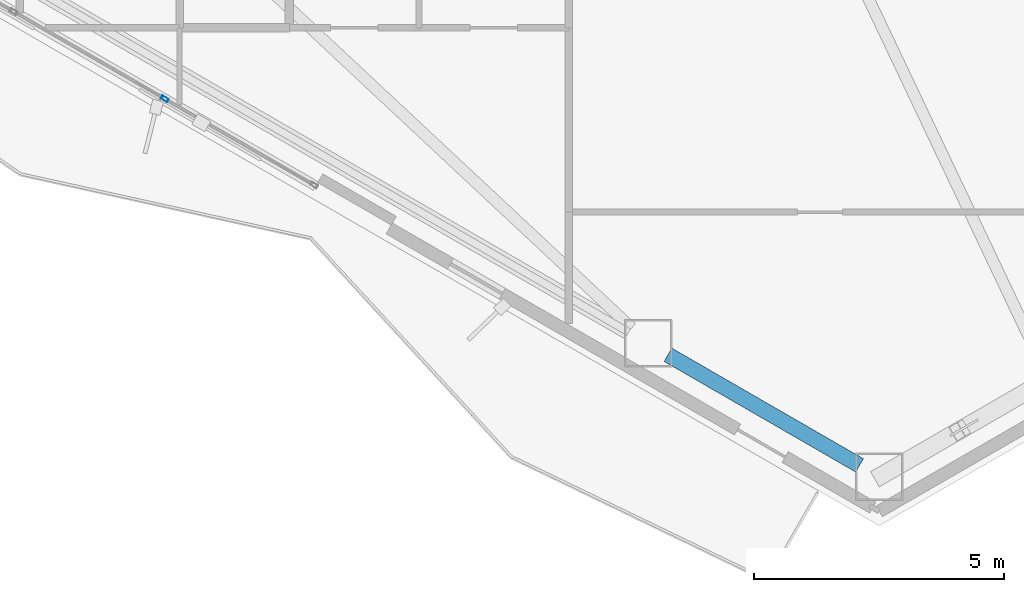
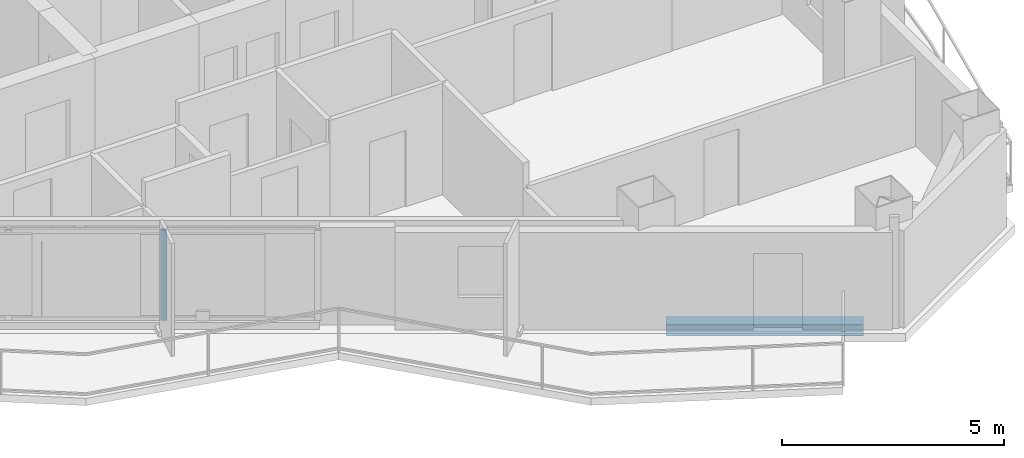
# One storey, part 3 of 18: 1 beam, 1 member, 1 element without a shape of its own.
"""IFC4 building model written with IfcOpenShell, lengths in metres."""

import ifcopenshell
import ifcopenshell.guid

model = None  # the IFC model being written
_history = None  # IfcOwnerHistory: only IFC2X3 demands one
_inside = {}  # id of a spatial element -> (the spatial element, [elements in it])
_under = {}  # id of a project, library or spatial element -> (it, [spatial elements below it])
_declared = {}  # id of a project -> (the project, [libraries it declares])
_typed = {}  # id of a type object -> (the type object, [elements of that type])
_made_of = {}  # id of a material, layer set ... -> (it, [elements and type objects made of it])


def new_model(schema):
    """Start an empty IFC model of exactly this schema.

    Asked for "IFC4X3", IfcOpenShell would pick the latest addendum, in which some entities
    have other attributes; the version numbers below select the first issue.
    IFC2X3 requires an IfcOwnerHistory on every rooted entity: one is made here for all.
    """
    global model, _history
    if schema == "IFC4X3":
        model = ifcopenshell.file(schema_version=(4, 3, 0, 0))
    else:
        model = ifcopenshell.file(schema=schema)
    _inside.clear()
    _under.clear()
    _declared.clear()
    _typed.clear()
    _made_of.clear()
    _history = None
    if model.schema == "IFC2X3":
        org = make("IfcOrganization", Name="unknown")
        user = make(
            "IfcPersonAndOrganization",
            ThePerson=make("IfcPerson", FamilyName="unknown"),
            TheOrganization=org,
        )
        app = make(
            "IfcApplication",
            ApplicationDeveloper=org,
            Version="unknown",
            ApplicationFullName="unknown",
            ApplicationIdentifier="unknown",
        )
        _history = make(
            "IfcOwnerHistory",
            OwningUser=user,
            OwningApplication=app,
            ChangeAction="ADDED",
            CreationDate=0,
        )
    return model


def make(cls, **values):
    """One entity of the class cls with the attributes given. An attribute that is None is left unset."""
    return model.create_entity(
        cls, **{name: value for name, value in values.items() if value is not None}
    )


def rooted(cls, **values):
    """An entity with a GlobalId (a new one), such as an element, a storey or a relation."""
    return make(cls, GlobalId=ifcopenshell.guid.new(), OwnerHistory=_history, **values)


def si_unit(unit_type, name, prefix=None):
    """IfcSIUnit, for example si_unit("LENGTHUNIT", "METRE", prefix="MILLI")."""
    return make("IfcSIUnit", UnitType=unit_type, Prefix=prefix, Name=name)


def assignment(units):
    """IfcUnitAssignment: the units of a project."""
    return None if units is None else make("IfcUnitAssignment", Units=units)


def point(xyz):
    """IfcCartesianPoint."""
    return None if xyz is None else make("IfcCartesianPoint", Coordinates=xyz)


def direction(xyz):
    """IfcDirection."""
    return None if xyz is None else make("IfcDirection", DirectionRatios=xyz)


def frame(location, z_axis=None, x_axis=None):
    """IfcAxis2Placement3D, a coordinate frame: its origin and axes. An axis left out is left unset."""
    return make(
        "IfcAxis2Placement3D",
        Location=point(location),
        Axis=direction(z_axis),
        RefDirection=direction(x_axis),
    )


def frame_2d(location, x_axis=None):
    """IfcAxis2Placement2D, a coordinate frame in the plane: its origin and x axis."""
    return make(
        "IfcAxis2Placement2D", Location=point(location), RefDirection=direction(x_axis)
    )


def origin():
    """The frame at (0, 0, 0) with its axes left unset."""
    return frame((0.0, 0.0, 0.0))


def origin_2d():
    """The frame at (0, 0) in the plane with its x axis left unset."""
    return frame_2d((0.0, 0.0))


def place(relative_to, where):
    """IfcLocalPlacement: puts the frame where relative to a parent placement (None: the world)."""
    return make(
        "IfcLocalPlacement", PlacementRelTo=relative_to, RelativePlacement=where
    )


def context(
    kind, dimensions, precision=None, world=None, true_north=None, identifier=None
):
    """IfcGeometricRepresentationContext, for example the 3D "Model" context."""
    return make(
        "IfcGeometricRepresentationContext",
        ContextIdentifier=identifier,
        ContextType=kind,
        CoordinateSpaceDimension=dimensions,
        Precision=precision,
        WorldCoordinateSystem=world,
        TrueNorth=true_north,
    )


def subcontext(parent, identifier, kind, view, scale=None):
    """IfcGeometricRepresentationSubContext, for example "Body" below "Model"."""
    return make(
        "IfcGeometricRepresentationSubContext",
        ContextIdentifier=identifier,
        ContextType=kind,
        ParentContext=parent,
        TargetScale=scale,
        TargetView=view,
    )


def project(units=None, contexts=None):
    """IfcProject with its units and contexts."""
    return rooted(
        "IfcProject",
        Name="project",
        RepresentationContexts=contexts,
        UnitsInContext=assignment(units),
    )


def spatial(cls, under=None, at=None, **own):
    """A site, building, storey or space (cls), placed at a placement, below another one or the project."""
    s = rooted(cls, ObjectPlacement=at, **own)
    if under is not None:
        _under.setdefault(under.id(), (under, []))[1].append(s)
    return s


def profile(cls, at=None, kind="AREA", **sizes):
    """A parametric profile (cls). Its sizes go by their IFC names, for example OverallWidth=200.0."""
    return make(cls, ProfileType=kind, Position=at, **sizes)


def hollow_rectangle(**sizes):
    """IfcRectangleHollowProfileDef."""
    return profile("IfcRectangleHollowProfileDef", **sizes)


def i_section(**sizes):
    """IfcIShapeProfileDef."""
    return profile("IfcIShapeProfileDef", **sizes)


def extrude(swept, where, along, depth):
    """IfcExtrudedAreaSolid: the profile swept, set in the frame where, extruded along a direction by depth."""
    return make(
        "IfcExtrudedAreaSolid",
        SweptArea=swept,
        Position=where,
        ExtrudedDirection=direction(along),
        Depth=depth,
    )


def shape(context_of_items, identifier, shape_type, items):
    """IfcShapeRepresentation: the items that make up one representation, for example the "Body"."""
    return make(
        "IfcShapeRepresentation",
        ContextOfItems=context_of_items,
        RepresentationIdentifier=identifier,
        RepresentationType=shape_type,
        Items=items,
    )


def material(Name=None, Category=None):
    """IfcMaterial."""
    return make("IfcMaterial", Name=Name, Category=Category)


def layer(
    of_material, thickness, ventilated=None, Name=None, Category=None, Priority=None
):
    """IfcMaterialLayer: one layer of a wall or slab, of a material (None: an air gap)."""
    return make(
        "IfcMaterialLayer",
        Material=of_material,
        LayerThickness=thickness,
        IsVentilated=ventilated,
        Name=Name,
        Category=Category,
        Priority=Priority,
    )


def layer_set(layers, Name=None):
    """IfcMaterialLayerSet."""
    return make("IfcMaterialLayerSet", MaterialLayers=layers, LayerSetName=Name)


def material_profile(
    of_material, cross_section, Name=None, Category=None, Priority=None
):
    """IfcMaterialProfile: a cross section and its material."""
    return make(
        "IfcMaterialProfile",
        Name=Name,
        Material=of_material,
        Profile=cross_section,
        Priority=Priority,
        Category=Category,
    )


def profile_set(profiles, Name=None, composite=None):
    """IfcMaterialProfileSet."""
    return make(
        "IfcMaterialProfileSet",
        Name=Name,
        MaterialProfiles=profiles,
        CompositeProfile=composite,
    )


def made_of(thing, what):
    """Note that an element or type object is made of a material, layer set ...; save() writes the relation."""
    if what is not None:
        _made_of.setdefault(what.id(), (what, []))[1].append(thing)
    return thing


def type_object(cls, material=None, **own):
    """A type object (cls), such as IfcWallType, which elements share."""
    return made_of(rooted(cls, **own), material)


def element(
    cls,
    number,
    at=None,
    inside=None,
    cuts=None,
    type_object=None,
    material=None,
    context=None,
    identifier="Body",
    shape_type=None,
    held_by="IfcProductDefinitionShape",
    body=None,
    shapes=None,
    **own,
):
    """One element of the class cls, such as IfcWall. Its Tag is "e" and its number.

    at: its placement. inside: the storey or other place that contains it. cuts: it is an
    opening in that element (IfcRelVoidsElement). A single representation is given by context,
    identifier, shape_type and body (its items); several are given by shapes. held_by: the class
    of the entity that holds the representations. save() writes the other relations.
    """
    e = rooted(cls, Tag="e%d" % number, ObjectPlacement=at, **own)
    if body is not None:
        shapes = [shape(context, identifier, shape_type, body)]
    if shapes is not None:
        e.Representation = make(held_by, Representations=shapes)
    if inside is not None:
        _inside.setdefault(inside.id(), (inside, []))[1].append(e)
    if cuts is not None:
        rooted(
            "IfcRelVoidsElement", RelatingBuildingElement=cuts, RelatedOpeningElement=e
        )
    if type_object is not None:
        _typed.setdefault(type_object.id(), (type_object, []))[1].append(e)
    return made_of(e, material)


def aggregate(whole, parts):
    """IfcRelAggregates: a whole, such as a stair, and the parts it consists of."""
    return rooted("IfcRelAggregates", RelatingObject=whole, RelatedObjects=parts)


def save(model, path):
    """Write the relations noted so far, then the file.

    IfcRelAggregates (storeys below a building ...), IfcRelContainedInSpatialStructure (elements
    in a storey), IfcRelDefinesByType, IfcRelAssociatesMaterial and IfcRelDeclares: one each for
    every whole, place, type object, material and project.
    """
    for whole, parts in _under.values():
        aggregate(whole, parts)
    for where, things in _inside.values():
        rooted(
            "IfcRelContainedInSpatialStructure",
            RelatedElements=things,
            RelatingStructure=where,
        )
    for kind, things in _typed.values():
        rooted("IfcRelDefinesByType", RelatedObjects=things, RelatingType=kind)
    for what, things in _made_of.values():
        rooted("IfcRelAssociatesMaterial", RelatedObjects=things, RelatingMaterial=what)
    for by, libraries in _declared.values():
        rooted("IfcRelDeclares", RelatingContext=by, RelatedDefinitions=libraries)
    model.write(path)


model = new_model("IFC4")

# Units and contexts
model_context = context("Model", 3, precision=1e-05, world=origin(), true_north=direction((0.0, 1.0)))
body_context = subcontext(model_context, "Body", "Model", "MODEL_VIEW")
ifc_project = project(units=[si_unit("LENGTHUNIT", "METRE"), si_unit("AREAUNIT", "SQUARE_METRE"), si_unit("VOLUMEUNIT", "CUBIC_METRE"), si_unit("PLANEANGLEUNIT", "RADIAN"), si_unit("MASSUNIT", "GRAM", prefix="KILO")], contexts=[model_context])

# Site, building, storey
site_placement = place(None, origin())
site = spatial("IfcSite", under=ifc_project, at=site_placement, CompositionType="ELEMENT")
building_placement = place(site_placement, origin())
building = spatial("IfcBuilding", under=site, at=building_placement, Name="Mersakhor Tower and Convention Hall", CompositionType="ELEMENT")
storey_placement = place(building_placement, frame((0.0, 0.0, 154.199951171875)))
storey = spatial("IfcBuildingStorey", under=building, at=storey_placement, Name="L43", CompositionType="ELEMENT", Elevation=154.199951171875)

# Beam
ifc_material_1 = material(Name="Steel S355", Category="steel")
ifc_material_profile_1 = material_profile(ifc_material_1, i_section(OverallWidth=0.30908203125, OverallDepth=0.320556640625, WebThickness=0.013916015625, FlangeThickness=0.021728515625, at=origin_2d()), Name="UC 305x305x137")
ifc_profile_set_1 = profile_set([ifc_material_profile_1], Name="Steel S355")
beam_type = type_object("IfcBeamType", Name="BM-SPD-UC305", PredefinedType="SPANDREL", material=ifc_profile_set_1)
beam_placement = place(storey_placement, frame((37.826416015625, 7.082763671875, -0.400146484375), z_axis=(-0.866038875684, 0.49997666526, 0.0), x_axis=(-0.49997666526, -0.866038875684, 0.0)))
element("IfcBeam", 1, at=beam_placement, inside=storey, type_object=beam_type, Name="L43 Perimeter Spandrel Beam SPB-09", PredefinedType="SPANDREL", context=body_context, shape_type="SweptSolid", body=[
    extrude(i_section(OverallWidth=0.30908203125, OverallDepth=0.320556640625, WebThickness=0.013916015625, FlangeThickness=0.021728515625, at=origin_2d()), origin(), (0.0, 0.0, 1.0), 4.433837890625),
])

# Curtain wall, member
ifc_material_2 = material(Name="Dark solar low-E aluminium curtain wall", Category="aluminium")
ifc_layer = layer(ifc_material_2, 0.169921875)
ifc_layer_set = layer_set([ifc_layer], Name="Dark solar low-E aluminium curtain wall")
curtain_wall_type = type_object("IfcCurtainWallType", Name="CW-SYS-02", PredefinedType="USERDEFINED", material=ifc_layer_set)
curtain_wall_placement = place(storey_placement, origin())
curtain_wall = element("IfcCurtainWall", 2, at=curtain_wall_placement, inside=storey, type_object=curtain_wall_type, Name="L43 Dark-Glass Curtain Wall F3-B2", ObjectType="CURTAIN WALL", PredefinedType="USERDEFINED")
ifc_material_3 = material(Name="Anodised aluminium EN AW-6063 T6", Category="aluminium")
ifc_material_profile_2 = material_profile(ifc_material_3, hollow_rectangle(XDim=0.074951171875, YDim=0.14990234375, WallThickness=0.00634765625, at=origin_2d()), Name="RHS 150x75x6.3")
ifc_profile_set_2 = profile_set([ifc_material_profile_2], Name="Anodised aluminium EN AW-6063 T6")
member_type = type_object("IfcMemberType", Name="CWM-150x75", PredefinedType="MULLION", material=ifc_profile_set_2)
member_placement = place(storey_placement, frame((23.904052734375, 14.427978515625, 0.199951171875), z_axis=(0.0, 0.0, 1.0), x_axis=(-0.499990468363, -0.866030906807, 0.0)))
member = element("IfcMember", 3, at=member_placement, type_object=member_type, Name="CW-02 mullion 2", PredefinedType="MULLION", context=body_context, shape_type="SweptSolid", body=[
    extrude(hollow_rectangle(XDim=0.074951171875, YDim=0.14990234375, WallThickness=0.00634765625, at=origin_2d()), origin(), (0.0, 0.0, 1.0), 2.47998046875),
])
aggregate(curtain_wall, [member])

save(model, "model.ifc")
